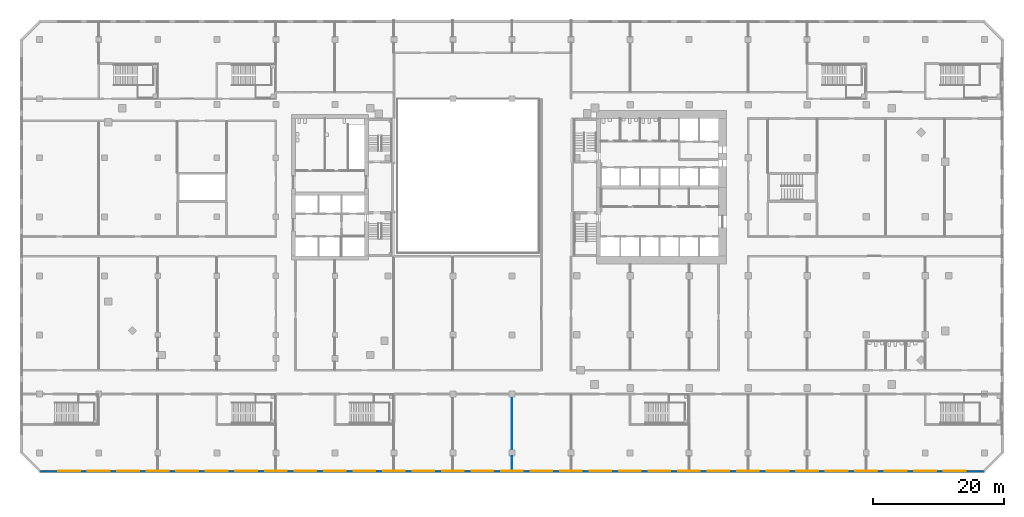
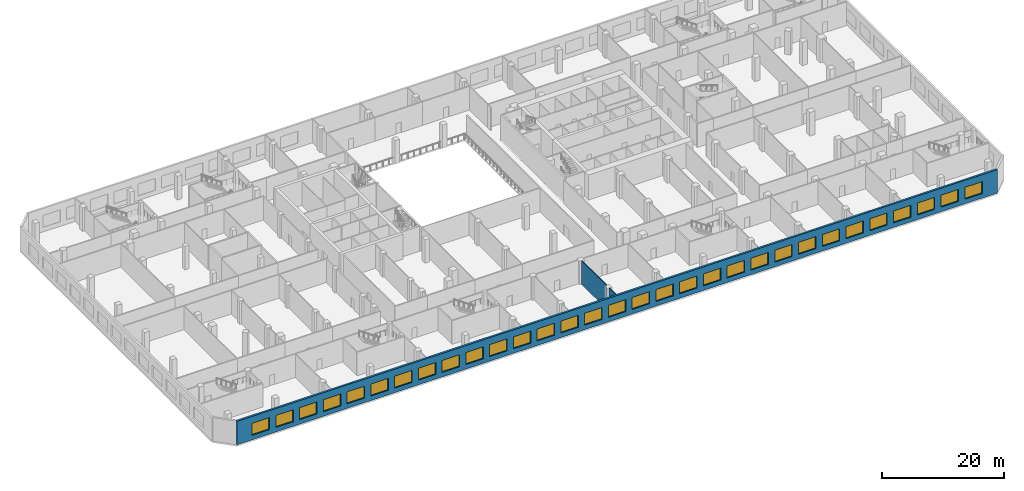
# One storey, part 8 of 21: 31 windows, 3 walls, 31 openings.
"""IFC4 building model written with IfcOpenShell, lengths in metres."""

import ifcopenshell
import ifcopenshell.guid

model = None  # the IFC model being written
_history = None  # IfcOwnerHistory: only IFC2X3 demands one
_inside = {}  # id of a spatial element -> (the spatial element, [elements in it])
_under = {}  # id of a project, library or spatial element -> (it, [spatial elements below it])
_declared = {}  # id of a project -> (the project, [libraries it declares])
_typed = {}  # id of a type object -> (the type object, [elements of that type])
_made_of = {}  # id of a material, layer set ... -> (it, [elements and type objects made of it])


def new_model(schema):
    """Start an empty IFC model of exactly this schema.

    Asked for "IFC4X3", IfcOpenShell would pick the latest addendum, in which some entities
    have other attributes; the version numbers below select the first issue.
    IFC2X3 requires an IfcOwnerHistory on every rooted entity: one is made here for all.
    """
    global model, _history
    if schema == "IFC4X3":
        model = ifcopenshell.file(schema_version=(4, 3, 0, 0))
    else:
        model = ifcopenshell.file(schema=schema)
    _inside.clear()
    _under.clear()
    _declared.clear()
    _typed.clear()
    _made_of.clear()
    _history = None
    if model.schema == "IFC2X3":
        org = make("IfcOrganization", Name="unknown")
        user = make(
            "IfcPersonAndOrganization",
            ThePerson=make("IfcPerson", FamilyName="unknown"),
            TheOrganization=org,
        )
        app = make(
            "IfcApplication",
            ApplicationDeveloper=org,
            Version="unknown",
            ApplicationFullName="unknown",
            ApplicationIdentifier="unknown",
        )
        _history = make(
            "IfcOwnerHistory",
            OwningUser=user,
            OwningApplication=app,
            ChangeAction="ADDED",
            CreationDate=0,
        )
    return model


def make(cls, **values):
    """One entity of the class cls with the attributes given. An attribute that is None is left unset."""
    return model.create_entity(
        cls, **{name: value for name, value in values.items() if value is not None}
    )


def rooted(cls, **values):
    """An entity with a GlobalId (a new one), such as an element, a storey or a relation."""
    return make(cls, GlobalId=ifcopenshell.guid.new(), OwnerHistory=_history, **values)


def si_unit(unit_type, name, prefix=None):
    """IfcSIUnit, for example si_unit("LENGTHUNIT", "METRE", prefix="MILLI")."""
    return make("IfcSIUnit", UnitType=unit_type, Prefix=prefix, Name=name)


def assignment(units):
    """IfcUnitAssignment: the units of a project."""
    return None if units is None else make("IfcUnitAssignment", Units=units)


def point(xyz):
    """IfcCartesianPoint."""
    return None if xyz is None else make("IfcCartesianPoint", Coordinates=xyz)


def direction(xyz):
    """IfcDirection."""
    return None if xyz is None else make("IfcDirection", DirectionRatios=xyz)


def frame(location, z_axis=None, x_axis=None):
    """IfcAxis2Placement3D, a coordinate frame: its origin and axes. An axis left out is left unset."""
    return make(
        "IfcAxis2Placement3D",
        Location=point(location),
        Axis=direction(z_axis),
        RefDirection=direction(x_axis),
    )


def frame_2d(location, x_axis=None):
    """IfcAxis2Placement2D, a coordinate frame in the plane: its origin and x axis."""
    return make(
        "IfcAxis2Placement2D", Location=point(location), RefDirection=direction(x_axis)
    )


def origin():
    """The frame at (0, 0, 0) with its axes left unset."""
    return frame((0.0, 0.0, 0.0))


def place(relative_to, where):
    """IfcLocalPlacement: puts the frame where relative to a parent placement (None: the world)."""
    return make(
        "IfcLocalPlacement", PlacementRelTo=relative_to, RelativePlacement=where
    )


def context(
    kind, dimensions, precision=None, world=None, true_north=None, identifier=None
):
    """IfcGeometricRepresentationContext, for example the 3D "Model" context."""
    return make(
        "IfcGeometricRepresentationContext",
        ContextIdentifier=identifier,
        ContextType=kind,
        CoordinateSpaceDimension=dimensions,
        Precision=precision,
        WorldCoordinateSystem=world,
        TrueNorth=true_north,
    )


def subcontext(parent, identifier, kind, view, scale=None):
    """IfcGeometricRepresentationSubContext, for example "Body" below "Model"."""
    return make(
        "IfcGeometricRepresentationSubContext",
        ContextIdentifier=identifier,
        ContextType=kind,
        ParentContext=parent,
        TargetScale=scale,
        TargetView=view,
    )


def project(units=None, contexts=None):
    """IfcProject with its units and contexts."""
    return rooted(
        "IfcProject",
        Name="project",
        RepresentationContexts=contexts,
        UnitsInContext=assignment(units),
    )


def spatial(cls, under=None, at=None, **own):
    """A site, building, storey or space (cls), placed at a placement, below another one or the project."""
    s = rooted(cls, ObjectPlacement=at, **own)
    if under is not None:
        _under.setdefault(under.id(), (under, []))[1].append(s)
    return s


def profile(cls, at=None, kind="AREA", **sizes):
    """A parametric profile (cls). Its sizes go by their IFC names, for example OverallWidth=200.0."""
    return make(cls, ProfileType=kind, Position=at, **sizes)


def rectangle(**sizes):
    """IfcRectangleProfileDef."""
    return profile("IfcRectangleProfileDef", **sizes)


def extrude(swept, where, along, depth):
    """IfcExtrudedAreaSolid: the profile swept, set in the frame where, extruded along a direction by depth."""
    return make(
        "IfcExtrudedAreaSolid",
        SweptArea=swept,
        Position=where,
        ExtrudedDirection=direction(along),
        Depth=depth,
    )


def shape(context_of_items, identifier, shape_type, items):
    """IfcShapeRepresentation: the items that make up one representation, for example the "Body"."""
    return make(
        "IfcShapeRepresentation",
        ContextOfItems=context_of_items,
        RepresentationIdentifier=identifier,
        RepresentationType=shape_type,
        Items=items,
    )


def material(Name=None, Category=None):
    """IfcMaterial."""
    return make("IfcMaterial", Name=Name, Category=Category)


def layer(
    of_material, thickness, ventilated=None, Name=None, Category=None, Priority=None
):
    """IfcMaterialLayer: one layer of a wall or slab, of a material (None: an air gap)."""
    return make(
        "IfcMaterialLayer",
        Material=of_material,
        LayerThickness=thickness,
        IsVentilated=ventilated,
        Name=Name,
        Category=Category,
        Priority=Priority,
    )


def layer_set(layers, Name=None):
    """IfcMaterialLayerSet."""
    return make("IfcMaterialLayerSet", MaterialLayers=layers, LayerSetName=Name)


def made_of(thing, what):
    """Note that an element or type object is made of a material, layer set ...; save() writes the relation."""
    if what is not None:
        _made_of.setdefault(what.id(), (what, []))[1].append(thing)
    return thing


def type_object(cls, material=None, **own):
    """A type object (cls), such as IfcWallType, which elements share."""
    return made_of(rooted(cls, **own), material)


def element(
    cls,
    number,
    at=None,
    inside=None,
    cuts=None,
    type_object=None,
    material=None,
    context=None,
    identifier="Body",
    shape_type=None,
    held_by="IfcProductDefinitionShape",
    body=None,
    shapes=None,
    **own,
):
    """One element of the class cls, such as IfcWall. Its Tag is "e" and its number.

    at: its placement. inside: the storey or other place that contains it. cuts: it is an
    opening in that element (IfcRelVoidsElement). A single representation is given by context,
    identifier, shape_type and body (its items); several are given by shapes. held_by: the class
    of the entity that holds the representations. save() writes the other relations.
    """
    e = rooted(cls, Tag="e%d" % number, ObjectPlacement=at, **own)
    if body is not None:
        shapes = [shape(context, identifier, shape_type, body)]
    if shapes is not None:
        e.Representation = make(held_by, Representations=shapes)
    if inside is not None:
        _inside.setdefault(inside.id(), (inside, []))[1].append(e)
    if cuts is not None:
        rooted(
            "IfcRelVoidsElement", RelatingBuildingElement=cuts, RelatedOpeningElement=e
        )
    if type_object is not None:
        _typed.setdefault(type_object.id(), (type_object, []))[1].append(e)
    return made_of(e, material)


def fill(opening, filler):
    """IfcRelFillsElement: the door or window that sits in an opening."""
    return rooted(
        "IfcRelFillsElement",
        RelatingOpeningElement=opening,
        RelatedBuildingElement=filler,
    )


def aggregate(whole, parts):
    """IfcRelAggregates: a whole, such as a stair, and the parts it consists of."""
    return rooted("IfcRelAggregates", RelatingObject=whole, RelatedObjects=parts)


def save(model, path):
    """Write the relations noted so far, then the file.

    IfcRelAggregates (storeys below a building ...), IfcRelContainedInSpatialStructure (elements
    in a storey), IfcRelDefinesByType, IfcRelAssociatesMaterial and IfcRelDeclares: one each for
    every whole, place, type object, material and project.
    """
    for whole, parts in _under.values():
        aggregate(whole, parts)
    for where, things in _inside.values():
        rooted(
            "IfcRelContainedInSpatialStructure",
            RelatedElements=things,
            RelatingStructure=where,
        )
    for kind, things in _typed.values():
        rooted("IfcRelDefinesByType", RelatedObjects=things, RelatingType=kind)
    for what, things in _made_of.values():
        rooted("IfcRelAssociatesMaterial", RelatedObjects=things, RelatingMaterial=what)
    for by, libraries in _declared.values():
        rooted("IfcRelDeclares", RelatingContext=by, RelatedDefinitions=libraries)
    model.write(path)


model = new_model("IFC4")

# Units and contexts
model_context = context("Model", 3, precision=1e-05, world=origin(), true_north=direction((0.0, 1.0)))
body_context = subcontext(model_context, "Body", "Model", "MODEL_VIEW")
ifc_project = project(units=[si_unit("LENGTHUNIT", "METRE"), si_unit("AREAUNIT", "SQUARE_METRE"), si_unit("VOLUMEUNIT", "CUBIC_METRE"), si_unit("PLANEANGLEUNIT", "RADIAN"), si_unit("MASSUNIT", "GRAM", prefix="KILO")], contexts=[model_context])

# Site, building, storey
site_placement = place(None, origin())
site = spatial("IfcSite", under=ifc_project, at=site_placement, CompositionType="ELEMENT")
building_placement = place(site_placement, origin())
building = spatial("IfcBuilding", under=site, at=building_placement, Name="Cinnabar Reach Civic Tower", CompositionType="ELEMENT")
storey_placement = place(building_placement, frame((0.0, 0.0, 16.0)))
storey = spatial("IfcBuildingStorey", under=building, at=storey_placement, Name="L03", CompositionType="ELEMENT", Elevation=16.0)

# Wall, openings, windows
ifc_material_1 = material(Name="Facing brick with insulated backing", Category="masonry")
ifc_layer_1 = layer(ifc_material_1, 0.36)
ifc_layer_set_1 = layer_set([ifc_layer_1], Name="Brick pier and spandrel wall")
wall_type_1 = type_object("IfcWallType", Name="Brick pier and spandrel wall", PredefinedType="STANDARD", material=ifc_layer_set_1)
wall_1_placement = place(storey_placement, frame((-81.0, -11.82, 0.0), z_axis=(0.0, 0.0, 1.0), x_axis=(1.0, 0.0, 0.0)))
wall_1 = element("IfcWall", 1, at=wall_1_placement, inside=storey, type_object=wall_type_1, Name="Brick facade wall", PredefinedType="STANDARD", context=body_context, shape_type="SweptSolid", body=[
    extrude(rectangle(XDim=144.0, YDim=0.36, at=frame_2d((72.0, 0.0))), origin(), (0.0, 0.0, 1.0), 4.7),
])
opening_1_placement = place(wall_1_placement, frame((2.85, 0.0, 0.9)))
opening_1 = element("IfcOpeningElement", 2, at=opening_1_placement, cuts=wall_1, Name="Opening W3013", PredefinedType="OPENING", context=body_context, shape_type="SweptSolid", body=[
    extrude(rectangle(XDim=3.3, YDim=2.4, at=frame_2d((1.65, 1.2))), frame((0.0, 0.19, 0.0), z_axis=(0.0, -1.0, 0.0), x_axis=(1.0, 0.0, 0.0)), (0.0, 0.0, 1.0), 0.38),
])
opening_2_placement = place(wall_1_placement, frame((7.35, 0.0, 0.9)))
opening_2 = element("IfcOpeningElement", 3, at=opening_2_placement, cuts=wall_1, Name="Opening W3014", PredefinedType="OPENING", context=body_context, shape_type="SweptSolid", body=[
    extrude(rectangle(XDim=3.3, YDim=2.4, at=frame_2d((1.65, 1.2))), frame((0.0, 0.19, 0.0), z_axis=(0.0, -1.0, 0.0), x_axis=(1.0, 0.0, 0.0)), (0.0, 0.0, 1.0), 0.38),
])
opening_3_placement = place(wall_1_placement, frame((11.85, 0.0, 0.9)))
opening_3 = element("IfcOpeningElement", 4, at=opening_3_placement, cuts=wall_1, Name="Opening W3015", PredefinedType="OPENING", context=body_context, shape_type="SweptSolid", body=[
    extrude(rectangle(XDim=3.3, YDim=2.4, at=frame_2d((1.65, 1.2))), frame((0.0, 0.19, 0.0), z_axis=(0.0, -1.0, 0.0), x_axis=(1.0, 0.0, 0.0)), (0.0, 0.0, 1.0), 0.38),
])
opening_4_placement = place(wall_1_placement, frame((16.35, 0.0, 0.9)))
opening_4 = element("IfcOpeningElement", 5, at=opening_4_placement, cuts=wall_1, Name="Opening W3016", PredefinedType="OPENING", context=body_context, shape_type="SweptSolid", body=[
    extrude(rectangle(XDim=3.3, YDim=2.4, at=frame_2d((1.65, 1.2))), frame((0.0, 0.19, 0.0), z_axis=(0.0, -1.0, 0.0), x_axis=(1.0, 0.0, 0.0)), (0.0, 0.0, 1.0), 0.38),
])
opening_5_placement = place(wall_1_placement, frame((20.85, 0.0, 0.9)))
opening_5 = element("IfcOpeningElement", 6, at=opening_5_placement, cuts=wall_1, Name="Opening W3017", PredefinedType="OPENING", context=body_context, shape_type="SweptSolid", body=[
    extrude(rectangle(XDim=3.3, YDim=2.4, at=frame_2d((1.65, 1.2))), frame((0.0, 0.19, 0.0), z_axis=(0.0, -1.0, 0.0), x_axis=(1.0, 0.0, 0.0)), (0.0, 0.0, 1.0), 0.38),
])
opening_6_placement = place(wall_1_placement, frame((25.35, 0.0, 0.9)))
opening_6 = element("IfcOpeningElement", 7, at=opening_6_placement, cuts=wall_1, Name="Opening W3018", PredefinedType="OPENING", context=body_context, shape_type="SweptSolid", body=[
    extrude(rectangle(XDim=3.3, YDim=2.4, at=frame_2d((1.65, 1.2))), frame((0.0, 0.19, 0.0), z_axis=(0.0, -1.0, 0.0), x_axis=(1.0, 0.0, 0.0)), (0.0, 0.0, 1.0), 0.38),
])
opening_7_placement = place(wall_1_placement, frame((29.85, 0.0, 0.9)))
opening_7 = element("IfcOpeningElement", 8, at=opening_7_placement, cuts=wall_1, Name="Opening W3019", PredefinedType="OPENING", context=body_context, shape_type="SweptSolid", body=[
    extrude(rectangle(XDim=3.3, YDim=2.4, at=frame_2d((1.65, 1.2))), frame((0.0, 0.19, 0.0), z_axis=(0.0, -1.0, 0.0), x_axis=(1.0, 0.0, 0.0)), (0.0, 0.0, 1.0), 0.38),
])
opening_8_placement = place(wall_1_placement, frame((34.35, 0.0, 0.9)))
opening_8 = element("IfcOpeningElement", 9, at=opening_8_placement, cuts=wall_1, Name="Opening W3020", PredefinedType="OPENING", context=body_context, shape_type="SweptSolid", body=[
    extrude(rectangle(XDim=3.3, YDim=2.4, at=frame_2d((1.65, 1.2))), frame((0.0, 0.19, 0.0), z_axis=(0.0, -1.0, 0.0), x_axis=(1.0, 0.0, 0.0)), (0.0, 0.0, 1.0), 0.38),
])
opening_9_placement = place(wall_1_placement, frame((38.85, 0.0, 0.9)))
opening_9 = element("IfcOpeningElement", 10, at=opening_9_placement, cuts=wall_1, Name="Opening W3021", PredefinedType="OPENING", context=body_context, shape_type="SweptSolid", body=[
    extrude(rectangle(XDim=3.3, YDim=2.4, at=frame_2d((1.65, 1.2))), frame((0.0, 0.19, 0.0), z_axis=(0.0, -1.0, 0.0), x_axis=(1.0, 0.0, 0.0)), (0.0, 0.0, 1.0), 0.38),
])
opening_10_placement = place(wall_1_placement, frame((43.35, 0.0, 0.9)))
opening_10 = element("IfcOpeningElement", 11, at=opening_10_placement, cuts=wall_1, Name="Opening W3022", PredefinedType="OPENING", context=body_context, shape_type="SweptSolid", body=[
    extrude(rectangle(XDim=3.3, YDim=2.4, at=frame_2d((1.65, 1.2))), frame((0.0, 0.19, 0.0), z_axis=(0.0, -1.0, 0.0), x_axis=(1.0, 0.0, 0.0)), (0.0, 0.0, 1.0), 0.38),
])
opening_11_placement = place(wall_1_placement, frame((47.85, 0.0, 0.9)))
opening_11 = element("IfcOpeningElement", 12, at=opening_11_placement, cuts=wall_1, Name="Opening W3023", PredefinedType="OPENING", context=body_context, shape_type="SweptSolid", body=[
    extrude(rectangle(XDim=3.3, YDim=2.4, at=frame_2d((1.65, 1.2))), frame((0.0, 0.19, 0.0), z_axis=(0.0, -1.0, 0.0), x_axis=(1.0, 0.0, 0.0)), (0.0, 0.0, 1.0), 0.38),
])
opening_12_placement = place(wall_1_placement, frame((52.35, 0.0, 0.9)))
opening_12 = element("IfcOpeningElement", 13, at=opening_12_placement, cuts=wall_1, Name="Opening W3024", PredefinedType="OPENING", context=body_context, shape_type="SweptSolid", body=[
    extrude(rectangle(XDim=3.3, YDim=2.4, at=frame_2d((1.65, 1.2))), frame((0.0, 0.19, 0.0), z_axis=(0.0, -1.0, 0.0), x_axis=(1.0, 0.0, 0.0)), (0.0, 0.0, 1.0), 0.38),
])
opening_13_placement = place(wall_1_placement, frame((56.85, 0.0, 0.9)))
opening_13 = element("IfcOpeningElement", 14, at=opening_13_placement, cuts=wall_1, Name="Opening W3025", PredefinedType="OPENING", context=body_context, shape_type="SweptSolid", body=[
    extrude(rectangle(XDim=3.3, YDim=2.4, at=frame_2d((1.65, 1.2))), frame((0.0, 0.19, 0.0), z_axis=(0.0, -1.0, 0.0), x_axis=(1.0, 0.0, 0.0)), (0.0, 0.0, 1.0), 0.38),
])
opening_14_placement = place(wall_1_placement, frame((61.35, 0.0, 0.9)))
opening_14 = element("IfcOpeningElement", 15, at=opening_14_placement, cuts=wall_1, Name="Opening W3026", PredefinedType="OPENING", context=body_context, shape_type="SweptSolid", body=[
    extrude(rectangle(XDim=3.3, YDim=2.4, at=frame_2d((1.65, 1.2))), frame((0.0, 0.19, 0.0), z_axis=(0.0, -1.0, 0.0), x_axis=(1.0, 0.0, 0.0)), (0.0, 0.0, 1.0), 0.38),
])
opening_15_placement = place(wall_1_placement, frame((65.85, 0.0, 0.9)))
opening_15 = element("IfcOpeningElement", 16, at=opening_15_placement, cuts=wall_1, Name="Opening W3027", PredefinedType="OPENING", context=body_context, shape_type="SweptSolid", body=[
    extrude(rectangle(XDim=3.3, YDim=2.4, at=frame_2d((1.65, 1.2))), frame((0.0, 0.19, 0.0), z_axis=(0.0, -1.0, 0.0), x_axis=(1.0, 0.0, 0.0)), (0.0, 0.0, 1.0), 0.38),
])
opening_16_placement = place(wall_1_placement, frame((70.35, 0.0, 0.9)))
opening_16 = element("IfcOpeningElement", 17, at=opening_16_placement, cuts=wall_1, Name="Opening W3028", PredefinedType="OPENING", context=body_context, shape_type="SweptSolid", body=[
    extrude(rectangle(XDim=3.3, YDim=2.4, at=frame_2d((1.65, 1.2))), frame((0.0, 0.19, 0.0), z_axis=(0.0, -1.0, 0.0), x_axis=(1.0, 0.0, 0.0)), (0.0, 0.0, 1.0), 0.38),
])
opening_17_placement = place(wall_1_placement, frame((74.85, 0.0, 0.9)))
opening_17 = element("IfcOpeningElement", 18, at=opening_17_placement, cuts=wall_1, Name="Opening W3029", PredefinedType="OPENING", context=body_context, shape_type="SweptSolid", body=[
    extrude(rectangle(XDim=3.3, YDim=2.4, at=frame_2d((1.65, 1.2))), frame((0.0, 0.19, 0.0), z_axis=(0.0, -1.0, 0.0), x_axis=(1.0, 0.0, 0.0)), (0.0, 0.0, 1.0), 0.38),
])
opening_18_placement = place(wall_1_placement, frame((79.35, 0.0, 0.9)))
opening_18 = element("IfcOpeningElement", 19, at=opening_18_placement, cuts=wall_1, Name="Opening W3030", PredefinedType="OPENING", context=body_context, shape_type="SweptSolid", body=[
    extrude(rectangle(XDim=3.3, YDim=2.4, at=frame_2d((1.65, 1.2))), frame((0.0, 0.19, 0.0), z_axis=(0.0, -1.0, 0.0), x_axis=(1.0, 0.0, 0.0)), (0.0, 0.0, 1.0), 0.38),
])
opening_19_placement = place(wall_1_placement, frame((83.85, 0.0, 0.9)))
opening_19 = element("IfcOpeningElement", 20, at=opening_19_placement, cuts=wall_1, Name="Opening W3031", PredefinedType="OPENING", context=body_context, shape_type="SweptSolid", body=[
    extrude(rectangle(XDim=3.3, YDim=2.4, at=frame_2d((1.65, 1.2))), frame((0.0, 0.19, 0.0), z_axis=(0.0, -1.0, 0.0), x_axis=(1.0, 0.0, 0.0)), (0.0, 0.0, 1.0), 0.38),
])
opening_20_placement = place(wall_1_placement, frame((88.35, 0.0, 0.9)))
opening_20 = element("IfcOpeningElement", 21, at=opening_20_placement, cuts=wall_1, Name="Opening W3032", PredefinedType="OPENING", context=body_context, shape_type="SweptSolid", body=[
    extrude(rectangle(XDim=3.3, YDim=2.4, at=frame_2d((1.65, 1.2))), frame((0.0, 0.19, 0.0), z_axis=(0.0, -1.0, 0.0), x_axis=(1.0, 0.0, 0.0)), (0.0, 0.0, 1.0), 0.38),
])
opening_21_placement = place(wall_1_placement, frame((92.85, 0.0, 0.9)))
opening_21 = element("IfcOpeningElement", 22, at=opening_21_placement, cuts=wall_1, Name="Opening W3033", PredefinedType="OPENING", context=body_context, shape_type="SweptSolid", body=[
    extrude(rectangle(XDim=3.3, YDim=2.4, at=frame_2d((1.65, 1.2))), frame((0.0, 0.19, 0.0), z_axis=(0.0, -1.0, 0.0), x_axis=(1.0, 0.0, 0.0)), (0.0, 0.0, 1.0), 0.38),
])
opening_22_placement = place(wall_1_placement, frame((97.35, 0.0, 0.9)))
opening_22 = element("IfcOpeningElement", 23, at=opening_22_placement, cuts=wall_1, Name="Opening W3034", PredefinedType="OPENING", context=body_context, shape_type="SweptSolid", body=[
    extrude(rectangle(XDim=3.3, YDim=2.4, at=frame_2d((1.65, 1.2))), frame((0.0, 0.19, 0.0), z_axis=(0.0, -1.0, 0.0), x_axis=(1.0, 0.0, 0.0)), (0.0, 0.0, 1.0), 0.38),
])
opening_23_placement = place(wall_1_placement, frame((101.85, 0.0, 0.9)))
opening_23 = element("IfcOpeningElement", 24, at=opening_23_placement, cuts=wall_1, Name="Opening W3035", PredefinedType="OPENING", context=body_context, shape_type="SweptSolid", body=[
    extrude(rectangle(XDim=3.3, YDim=2.4, at=frame_2d((1.65, 1.2))), frame((0.0, 0.19, 0.0), z_axis=(0.0, -1.0, 0.0), x_axis=(1.0, 0.0, 0.0)), (0.0, 0.0, 1.0), 0.38),
])
opening_24_placement = place(wall_1_placement, frame((106.35, 0.0, 0.9)))
opening_24 = element("IfcOpeningElement", 25, at=opening_24_placement, cuts=wall_1, Name="Opening W3036", PredefinedType="OPENING", context=body_context, shape_type="SweptSolid", body=[
    extrude(rectangle(XDim=3.3, YDim=2.4, at=frame_2d((1.65, 1.2))), frame((0.0, 0.19, 0.0), z_axis=(0.0, -1.0, 0.0), x_axis=(1.0, 0.0, 0.0)), (0.0, 0.0, 1.0), 0.38),
])
opening_25_placement = place(wall_1_placement, frame((110.85, 0.0, 0.9)))
opening_25 = element("IfcOpeningElement", 26, at=opening_25_placement, cuts=wall_1, Name="Opening W3037", PredefinedType="OPENING", context=body_context, shape_type="SweptSolid", body=[
    extrude(rectangle(XDim=3.3, YDim=2.4, at=frame_2d((1.65, 1.2))), frame((0.0, 0.19, 0.0), z_axis=(0.0, -1.0, 0.0), x_axis=(1.0, 0.0, 0.0)), (0.0, 0.0, 1.0), 0.38),
])
opening_26_placement = place(wall_1_placement, frame((115.35, 0.0, 0.9)))
opening_26 = element("IfcOpeningElement", 27, at=opening_26_placement, cuts=wall_1, Name="Opening W3038", PredefinedType="OPENING", context=body_context, shape_type="SweptSolid", body=[
    extrude(rectangle(XDim=3.3, YDim=2.4, at=frame_2d((1.65, 1.2))), frame((0.0, 0.19, 0.0), z_axis=(0.0, -1.0, 0.0), x_axis=(1.0, 0.0, 0.0)), (0.0, 0.0, 1.0), 0.38),
])
opening_27_placement = place(wall_1_placement, frame((119.85, 0.0, 0.9)))
opening_27 = element("IfcOpeningElement", 28, at=opening_27_placement, cuts=wall_1, Name="Opening W3039", PredefinedType="OPENING", context=body_context, shape_type="SweptSolid", body=[
    extrude(rectangle(XDim=3.3, YDim=2.4, at=frame_2d((1.65, 1.2))), frame((0.0, 0.19, 0.0), z_axis=(0.0, -1.0, 0.0), x_axis=(1.0, 0.0, 0.0)), (0.0, 0.0, 1.0), 0.38),
])
opening_28_placement = place(wall_1_placement, frame((124.35, 0.0, 0.9)))
opening_28 = element("IfcOpeningElement", 29, at=opening_28_placement, cuts=wall_1, Name="Opening W3040", PredefinedType="OPENING", context=body_context, shape_type="SweptSolid", body=[
    extrude(rectangle(XDim=3.3, YDim=2.4, at=frame_2d((1.65, 1.2))), frame((0.0, 0.19, 0.0), z_axis=(0.0, -1.0, 0.0), x_axis=(1.0, 0.0, 0.0)), (0.0, 0.0, 1.0), 0.38),
])
opening_29_placement = place(wall_1_placement, frame((128.85, 0.0, 0.9)))
opening_29 = element("IfcOpeningElement", 30, at=opening_29_placement, cuts=wall_1, Name="Opening W3041", PredefinedType="OPENING", context=body_context, shape_type="SweptSolid", body=[
    extrude(rectangle(XDim=3.3, YDim=2.4, at=frame_2d((1.65, 1.2))), frame((0.0, 0.19, 0.0), z_axis=(0.0, -1.0, 0.0), x_axis=(1.0, 0.0, 0.0)), (0.0, 0.0, 1.0), 0.38),
])
opening_30_placement = place(wall_1_placement, frame((133.35, 0.0, 0.9)))
opening_30 = element("IfcOpeningElement", 31, at=opening_30_placement, cuts=wall_1, Name="Opening W3042", PredefinedType="OPENING", context=body_context, shape_type="SweptSolid", body=[
    extrude(rectangle(XDim=3.3, YDim=2.4, at=frame_2d((1.65, 1.2))), frame((0.0, 0.19, 0.0), z_axis=(0.0, -1.0, 0.0), x_axis=(1.0, 0.0, 0.0)), (0.0, 0.0, 1.0), 0.38),
])
opening_31_placement = place(wall_1_placement, frame((137.85, 0.0, 0.9)))
opening_31 = element("IfcOpeningElement", 32, at=opening_31_placement, cuts=wall_1, Name="Opening W3043", PredefinedType="OPENING", context=body_context, shape_type="SweptSolid", body=[
    extrude(rectangle(XDim=3.3, YDim=2.4, at=frame_2d((1.65, 1.2))), frame((0.0, 0.19, 0.0), z_axis=(0.0, -1.0, 0.0), x_axis=(1.0, 0.0, 0.0)), (0.0, 0.0, 1.0), 0.38),
])
ifc_material_2 = material(Name="Clear double glazing in aluminium frame", Category="aluminium")
window_type = type_object("IfcWindowType", Name="Podium window P", PartitioningType="SINGLE_PANEL", PredefinedType="WINDOW", material=ifc_material_2)
window_1_placement = place(opening_1_placement, origin())
window_1 = element("IfcWindow", 33, at=window_1_placement, inside=storey, type_object=window_type, Name="Window south face", OverallHeight=2.4, OverallWidth=3.3, PartitioningType="SINGLE_PANEL", PredefinedType="WINDOW", context=body_context, shape_type="SweptSolid", body=[
    extrude(rectangle(XDim=3.3, YDim=2.4, at=frame_2d((1.65, 1.2))), frame((0.0, 0.13, 0.0), z_axis=(0.0, -1.0, 0.0), x_axis=(1.0, 0.0, 0.0)), (0.0, 0.0, 1.0), 0.06),
])
fill(opening_1, window_1)
window_2_placement = place(opening_2_placement, origin())
window_2 = element("IfcWindow", 34, at=window_2_placement, inside=storey, type_object=window_type, Name="Window south face", OverallHeight=2.4, OverallWidth=3.3, PartitioningType="SINGLE_PANEL", PredefinedType="WINDOW", context=body_context, shape_type="SweptSolid", body=[
    extrude(rectangle(XDim=3.3, YDim=2.4, at=frame_2d((1.65, 1.2))), frame((0.0, 0.13, 0.0), z_axis=(0.0, -1.0, 0.0), x_axis=(1.0, 0.0, 0.0)), (0.0, 0.0, 1.0), 0.06),
])
fill(opening_2, window_2)
window_3_placement = place(opening_3_placement, origin())
window_3 = element("IfcWindow", 35, at=window_3_placement, inside=storey, type_object=window_type, Name="Window south face", OverallHeight=2.4, OverallWidth=3.3, PartitioningType="SINGLE_PANEL", PredefinedType="WINDOW", context=body_context, shape_type="SweptSolid", body=[
    extrude(rectangle(XDim=3.3, YDim=2.4, at=frame_2d((1.65, 1.2))), frame((0.0, 0.13, 0.0), z_axis=(0.0, -1.0, 0.0), x_axis=(1.0, 0.0, 0.0)), (0.0, 0.0, 1.0), 0.06),
])
fill(opening_3, window_3)
window_4_placement = place(opening_4_placement, origin())
window_4 = element("IfcWindow", 36, at=window_4_placement, inside=storey, type_object=window_type, Name="Window south face", OverallHeight=2.4, OverallWidth=3.3, PartitioningType="SINGLE_PANEL", PredefinedType="WINDOW", context=body_context, shape_type="SweptSolid", body=[
    extrude(rectangle(XDim=3.3, YDim=2.4, at=frame_2d((1.65, 1.2))), frame((0.0, 0.13, 0.0), z_axis=(0.0, -1.0, 0.0), x_axis=(1.0, 0.0, 0.0)), (0.0, 0.0, 1.0), 0.06),
])
fill(opening_4, window_4)
window_5_placement = place(opening_5_placement, origin())
window_5 = element("IfcWindow", 37, at=window_5_placement, inside=storey, type_object=window_type, Name="Window south face", OverallHeight=2.4, OverallWidth=3.3, PartitioningType="SINGLE_PANEL", PredefinedType="WINDOW", context=body_context, shape_type="SweptSolid", body=[
    extrude(rectangle(XDim=3.3, YDim=2.4, at=frame_2d((1.65, 1.2))), frame((0.0, 0.13, 0.0), z_axis=(0.0, -1.0, 0.0), x_axis=(1.0, 0.0, 0.0)), (0.0, 0.0, 1.0), 0.06),
])
fill(opening_5, window_5)
window_6_placement = place(opening_6_placement, origin())
window_6 = element("IfcWindow", 38, at=window_6_placement, inside=storey, type_object=window_type, Name="Window south face", OverallHeight=2.4, OverallWidth=3.3, PartitioningType="SINGLE_PANEL", PredefinedType="WINDOW", context=body_context, shape_type="SweptSolid", body=[
    extrude(rectangle(XDim=3.3, YDim=2.4, at=frame_2d((1.65, 1.2))), frame((0.0, 0.13, 0.0), z_axis=(0.0, -1.0, 0.0), x_axis=(1.0, 0.0, 0.0)), (0.0, 0.0, 1.0), 0.06),
])
fill(opening_6, window_6)
window_7_placement = place(opening_7_placement, origin())
window_7 = element("IfcWindow", 39, at=window_7_placement, inside=storey, type_object=window_type, Name="Window south face", OverallHeight=2.4, OverallWidth=3.3, PartitioningType="SINGLE_PANEL", PredefinedType="WINDOW", context=body_context, shape_type="SweptSolid", body=[
    extrude(rectangle(XDim=3.3, YDim=2.4, at=frame_2d((1.65, 1.2))), frame((0.0, 0.13, 0.0), z_axis=(0.0, -1.0, 0.0), x_axis=(1.0, 0.0, 0.0)), (0.0, 0.0, 1.0), 0.06),
])
fill(opening_7, window_7)
window_8_placement = place(opening_8_placement, origin())
window_8 = element("IfcWindow", 40, at=window_8_placement, inside=storey, type_object=window_type, Name="Window south face", OverallHeight=2.4, OverallWidth=3.3, PartitioningType="SINGLE_PANEL", PredefinedType="WINDOW", context=body_context, shape_type="SweptSolid", body=[
    extrude(rectangle(XDim=3.3, YDim=2.4, at=frame_2d((1.65, 1.2))), frame((0.0, 0.13, 0.0), z_axis=(0.0, -1.0, 0.0), x_axis=(1.0, 0.0, 0.0)), (0.0, 0.0, 1.0), 0.06),
])
fill(opening_8, window_8)
window_9_placement = place(opening_9_placement, origin())
window_9 = element("IfcWindow", 41, at=window_9_placement, inside=storey, type_object=window_type, Name="Window south face", OverallHeight=2.4, OverallWidth=3.3, PartitioningType="SINGLE_PANEL", PredefinedType="WINDOW", context=body_context, shape_type="SweptSolid", body=[
    extrude(rectangle(XDim=3.3, YDim=2.4, at=frame_2d((1.65, 1.2))), frame((0.0, 0.13, 0.0), z_axis=(0.0, -1.0, 0.0), x_axis=(1.0, 0.0, 0.0)), (0.0, 0.0, 1.0), 0.06),
])
fill(opening_9, window_9)
window_10_placement = place(opening_10_placement, origin())
window_10 = element("IfcWindow", 42, at=window_10_placement, inside=storey, type_object=window_type, Name="Window south face", OverallHeight=2.4, OverallWidth=3.3, PartitioningType="SINGLE_PANEL", PredefinedType="WINDOW", context=body_context, shape_type="SweptSolid", body=[
    extrude(rectangle(XDim=3.3, YDim=2.4, at=frame_2d((1.65, 1.2))), frame((0.0, 0.13, 0.0), z_axis=(0.0, -1.0, 0.0), x_axis=(1.0, 0.0, 0.0)), (0.0, 0.0, 1.0), 0.06),
])
fill(opening_10, window_10)
window_11_placement = place(opening_11_placement, origin())
window_11 = element("IfcWindow", 43, at=window_11_placement, inside=storey, type_object=window_type, Name="Window south face", OverallHeight=2.4, OverallWidth=3.3, PartitioningType="SINGLE_PANEL", PredefinedType="WINDOW", context=body_context, shape_type="SweptSolid", body=[
    extrude(rectangle(XDim=3.3, YDim=2.4, at=frame_2d((1.65, 1.2))), frame((0.0, 0.13, 0.0), z_axis=(0.0, -1.0, 0.0), x_axis=(1.0, 0.0, 0.0)), (0.0, 0.0, 1.0), 0.06),
])
fill(opening_11, window_11)
window_12_placement = place(opening_12_placement, origin())
window_12 = element("IfcWindow", 44, at=window_12_placement, inside=storey, type_object=window_type, Name="Window south face", OverallHeight=2.4, OverallWidth=3.3, PartitioningType="SINGLE_PANEL", PredefinedType="WINDOW", context=body_context, shape_type="SweptSolid", body=[
    extrude(rectangle(XDim=3.3, YDim=2.4, at=frame_2d((1.65, 1.2))), frame((0.0, 0.13, 0.0), z_axis=(0.0, -1.0, 0.0), x_axis=(1.0, 0.0, 0.0)), (0.0, 0.0, 1.0), 0.06),
])
fill(opening_12, window_12)
window_13_placement = place(opening_13_placement, origin())
window_13 = element("IfcWindow", 45, at=window_13_placement, inside=storey, type_object=window_type, Name="Window south face", OverallHeight=2.4, OverallWidth=3.3, PartitioningType="SINGLE_PANEL", PredefinedType="WINDOW", context=body_context, shape_type="SweptSolid", body=[
    extrude(rectangle(XDim=3.3, YDim=2.4, at=frame_2d((1.65, 1.2))), frame((0.0, 0.13, 0.0), z_axis=(0.0, -1.0, 0.0), x_axis=(1.0, 0.0, 0.0)), (0.0, 0.0, 1.0), 0.06),
])
fill(opening_13, window_13)
window_14_placement = place(opening_14_placement, origin())
window_14 = element("IfcWindow", 46, at=window_14_placement, inside=storey, type_object=window_type, Name="Window south face", OverallHeight=2.4, OverallWidth=3.3, PartitioningType="SINGLE_PANEL", PredefinedType="WINDOW", context=body_context, shape_type="SweptSolid", body=[
    extrude(rectangle(XDim=3.3, YDim=2.4, at=frame_2d((1.65, 1.2))), frame((0.0, 0.13, 0.0), z_axis=(0.0, -1.0, 0.0), x_axis=(1.0, 0.0, 0.0)), (0.0, 0.0, 1.0), 0.06),
])
fill(opening_14, window_14)
window_15_placement = place(opening_15_placement, origin())
window_15 = element("IfcWindow", 47, at=window_15_placement, inside=storey, type_object=window_type, Name="Window south face", OverallHeight=2.4, OverallWidth=3.3, PartitioningType="SINGLE_PANEL", PredefinedType="WINDOW", context=body_context, shape_type="SweptSolid", body=[
    extrude(rectangle(XDim=3.3, YDim=2.4, at=frame_2d((1.65, 1.2))), frame((0.0, 0.13, 0.0), z_axis=(0.0, -1.0, 0.0), x_axis=(1.0, 0.0, 0.0)), (0.0, 0.0, 1.0), 0.06),
])
fill(opening_15, window_15)
window_16_placement = place(opening_16_placement, origin())
window_16 = element("IfcWindow", 48, at=window_16_placement, inside=storey, type_object=window_type, Name="Window south face", OverallHeight=2.4, OverallWidth=3.3, PartitioningType="SINGLE_PANEL", PredefinedType="WINDOW", context=body_context, shape_type="SweptSolid", body=[
    extrude(rectangle(XDim=3.3, YDim=2.4, at=frame_2d((1.65, 1.2))), frame((0.0, 0.13, 0.0), z_axis=(0.0, -1.0, 0.0), x_axis=(1.0, 0.0, 0.0)), (0.0, 0.0, 1.0), 0.06),
])
fill(opening_16, window_16)
window_17_placement = place(opening_17_placement, origin())
window_17 = element("IfcWindow", 49, at=window_17_placement, inside=storey, type_object=window_type, Name="Window south face", OverallHeight=2.4, OverallWidth=3.3, PartitioningType="SINGLE_PANEL", PredefinedType="WINDOW", context=body_context, shape_type="SweptSolid", body=[
    extrude(rectangle(XDim=3.3, YDim=2.4, at=frame_2d((1.65, 1.2))), frame((0.0, 0.13, 0.0), z_axis=(0.0, -1.0, 0.0), x_axis=(1.0, 0.0, 0.0)), (0.0, 0.0, 1.0), 0.06),
])
fill(opening_17, window_17)
window_18_placement = place(opening_18_placement, origin())
window_18 = element("IfcWindow", 50, at=window_18_placement, inside=storey, type_object=window_type, Name="Window south face", OverallHeight=2.4, OverallWidth=3.3, PartitioningType="SINGLE_PANEL", PredefinedType="WINDOW", context=body_context, shape_type="SweptSolid", body=[
    extrude(rectangle(XDim=3.3, YDim=2.4, at=frame_2d((1.65, 1.2))), frame((0.0, 0.13, 0.0), z_axis=(0.0, -1.0, 0.0), x_axis=(1.0, 0.0, 0.0)), (0.0, 0.0, 1.0), 0.06),
])
fill(opening_18, window_18)
window_19_placement = place(opening_19_placement, origin())
window_19 = element("IfcWindow", 51, at=window_19_placement, inside=storey, type_object=window_type, Name="Window south face", OverallHeight=2.4, OverallWidth=3.3, PartitioningType="SINGLE_PANEL", PredefinedType="WINDOW", context=body_context, shape_type="SweptSolid", body=[
    extrude(rectangle(XDim=3.3, YDim=2.4, at=frame_2d((1.65, 1.2))), frame((0.0, 0.13, 0.0), z_axis=(0.0, -1.0, 0.0), x_axis=(1.0, 0.0, 0.0)), (0.0, 0.0, 1.0), 0.06),
])
fill(opening_19, window_19)
window_20_placement = place(opening_20_placement, origin())
window_20 = element("IfcWindow", 52, at=window_20_placement, inside=storey, type_object=window_type, Name="Window south face", OverallHeight=2.4, OverallWidth=3.3, PartitioningType="SINGLE_PANEL", PredefinedType="WINDOW", context=body_context, shape_type="SweptSolid", body=[
    extrude(rectangle(XDim=3.3, YDim=2.4, at=frame_2d((1.65, 1.2))), frame((0.0, 0.13, 0.0), z_axis=(0.0, -1.0, 0.0), x_axis=(1.0, 0.0, 0.0)), (0.0, 0.0, 1.0), 0.06),
])
fill(opening_20, window_20)
window_21_placement = place(opening_21_placement, origin())
window_21 = element("IfcWindow", 53, at=window_21_placement, inside=storey, type_object=window_type, Name="Window south face", OverallHeight=2.4, OverallWidth=3.3, PartitioningType="SINGLE_PANEL", PredefinedType="WINDOW", context=body_context, shape_type="SweptSolid", body=[
    extrude(rectangle(XDim=3.3, YDim=2.4, at=frame_2d((1.65, 1.2))), frame((0.0, 0.13, 0.0), z_axis=(0.0, -1.0, 0.0), x_axis=(1.0, 0.0, 0.0)), (0.0, 0.0, 1.0), 0.06),
])
fill(opening_21, window_21)
window_22_placement = place(opening_22_placement, origin())
window_22 = element("IfcWindow", 54, at=window_22_placement, inside=storey, type_object=window_type, Name="Window south face", OverallHeight=2.4, OverallWidth=3.3, PartitioningType="SINGLE_PANEL", PredefinedType="WINDOW", context=body_context, shape_type="SweptSolid", body=[
    extrude(rectangle(XDim=3.3, YDim=2.4, at=frame_2d((1.65, 1.2))), frame((0.0, 0.13, 0.0), z_axis=(0.0, -1.0, 0.0), x_axis=(1.0, 0.0, 0.0)), (0.0, 0.0, 1.0), 0.06),
])
fill(opening_22, window_22)
window_23_placement = place(opening_23_placement, origin())
window_23 = element("IfcWindow", 55, at=window_23_placement, inside=storey, type_object=window_type, Name="Window south face", OverallHeight=2.4, OverallWidth=3.3, PartitioningType="SINGLE_PANEL", PredefinedType="WINDOW", context=body_context, shape_type="SweptSolid", body=[
    extrude(rectangle(XDim=3.3, YDim=2.4, at=frame_2d((1.65, 1.2))), frame((0.0, 0.13, 0.0), z_axis=(0.0, -1.0, 0.0), x_axis=(1.0, 0.0, 0.0)), (0.0, 0.0, 1.0), 0.06),
])
fill(opening_23, window_23)
window_24_placement = place(opening_24_placement, origin())
window_24 = element("IfcWindow", 56, at=window_24_placement, inside=storey, type_object=window_type, Name="Window south face", OverallHeight=2.4, OverallWidth=3.3, PartitioningType="SINGLE_PANEL", PredefinedType="WINDOW", context=body_context, shape_type="SweptSolid", body=[
    extrude(rectangle(XDim=3.3, YDim=2.4, at=frame_2d((1.65, 1.2))), frame((0.0, 0.13, 0.0), z_axis=(0.0, -1.0, 0.0), x_axis=(1.0, 0.0, 0.0)), (0.0, 0.0, 1.0), 0.06),
])
fill(opening_24, window_24)
window_25_placement = place(opening_25_placement, origin())
window_25 = element("IfcWindow", 57, at=window_25_placement, inside=storey, type_object=window_type, Name="Window south face", OverallHeight=2.4, OverallWidth=3.3, PartitioningType="SINGLE_PANEL", PredefinedType="WINDOW", context=body_context, shape_type="SweptSolid", body=[
    extrude(rectangle(XDim=3.3, YDim=2.4, at=frame_2d((1.65, 1.2))), frame((0.0, 0.13, 0.0), z_axis=(0.0, -1.0, 0.0), x_axis=(1.0, 0.0, 0.0)), (0.0, 0.0, 1.0), 0.06),
])
fill(opening_25, window_25)
window_26_placement = place(opening_26_placement, origin())
window_26 = element("IfcWindow", 58, at=window_26_placement, inside=storey, type_object=window_type, Name="Window south face", OverallHeight=2.4, OverallWidth=3.3, PartitioningType="SINGLE_PANEL", PredefinedType="WINDOW", context=body_context, shape_type="SweptSolid", body=[
    extrude(rectangle(XDim=3.3, YDim=2.4, at=frame_2d((1.65, 1.2))), frame((0.0, 0.13, 0.0), z_axis=(0.0, -1.0, 0.0), x_axis=(1.0, 0.0, 0.0)), (0.0, 0.0, 1.0), 0.06),
])
fill(opening_26, window_26)
window_27_placement = place(opening_27_placement, origin())
window_27 = element("IfcWindow", 59, at=window_27_placement, inside=storey, type_object=window_type, Name="Window south face", OverallHeight=2.4, OverallWidth=3.3, PartitioningType="SINGLE_PANEL", PredefinedType="WINDOW", context=body_context, shape_type="SweptSolid", body=[
    extrude(rectangle(XDim=3.3, YDim=2.4, at=frame_2d((1.65, 1.2))), frame((0.0, 0.13, 0.0), z_axis=(0.0, -1.0, 0.0), x_axis=(1.0, 0.0, 0.0)), (0.0, 0.0, 1.0), 0.06),
])
fill(opening_27, window_27)
window_28_placement = place(opening_28_placement, origin())
window_28 = element("IfcWindow", 60, at=window_28_placement, inside=storey, type_object=window_type, Name="Window south face", OverallHeight=2.4, OverallWidth=3.3, PartitioningType="SINGLE_PANEL", PredefinedType="WINDOW", context=body_context, shape_type="SweptSolid", body=[
    extrude(rectangle(XDim=3.3, YDim=2.4, at=frame_2d((1.65, 1.2))), frame((0.0, 0.13, 0.0), z_axis=(0.0, -1.0, 0.0), x_axis=(1.0, 0.0, 0.0)), (0.0, 0.0, 1.0), 0.06),
])
fill(opening_28, window_28)
window_29_placement = place(opening_29_placement, origin())
window_29 = element("IfcWindow", 61, at=window_29_placement, inside=storey, type_object=window_type, Name="Window south face", OverallHeight=2.4, OverallWidth=3.3, PartitioningType="SINGLE_PANEL", PredefinedType="WINDOW", context=body_context, shape_type="SweptSolid", body=[
    extrude(rectangle(XDim=3.3, YDim=2.4, at=frame_2d((1.65, 1.2))), frame((0.0, 0.13, 0.0), z_axis=(0.0, -1.0, 0.0), x_axis=(1.0, 0.0, 0.0)), (0.0, 0.0, 1.0), 0.06),
])
fill(opening_29, window_29)
window_30_placement = place(opening_30_placement, origin())
window_30 = element("IfcWindow", 62, at=window_30_placement, inside=storey, type_object=window_type, Name="Window south face", OverallHeight=2.4, OverallWidth=3.3, PartitioningType="SINGLE_PANEL", PredefinedType="WINDOW", context=body_context, shape_type="SweptSolid", body=[
    extrude(rectangle(XDim=3.3, YDim=2.4, at=frame_2d((1.65, 1.2))), frame((0.0, 0.13, 0.0), z_axis=(0.0, -1.0, 0.0), x_axis=(1.0, 0.0, 0.0)), (0.0, 0.0, 1.0), 0.06),
])
fill(opening_30, window_30)
window_31_placement = place(opening_31_placement, origin())
window_31 = element("IfcWindow", 63, at=window_31_placement, inside=storey, type_object=window_type, Name="Window south face", OverallHeight=2.4, OverallWidth=3.3, PartitioningType="SINGLE_PANEL", PredefinedType="WINDOW", context=body_context, shape_type="SweptSolid", body=[
    extrude(rectangle(XDim=3.3, YDim=2.4, at=frame_2d((1.65, 1.2))), frame((0.0, 0.13, 0.0), z_axis=(0.0, -1.0, 0.0), x_axis=(1.0, 0.0, 0.0)), (0.0, 0.0, 1.0), 0.06),
])
fill(opening_31, window_31)

# Walls
ifc_material_3 = material(Name="Gypsum board on steel studs", Category="steel")
ifc_layer_2 = layer(ifc_material_3, 0.15)
ifc_layer_set_2 = layer_set([ifc_layer_2], Name="Podium partition wall 150 EI 90")
wall_type_2 = type_object("IfcWallType", Name="Podium partition wall 150 EI 90", PredefinedType="PARTITIONING", material=ifc_layer_set_2)
wall_2_placement = place(storey_placement, frame((-9.0, -11.6, 0.0), z_axis=(0.0, 0.0, 1.0), x_axis=(0.0, 1.0, 0.0)))
element("IfcWall", 64, at=wall_2_placement, inside=storey, type_object=wall_type_2, Name="Wall L03 152", PredefinedType="PARTITIONING", context=body_context, shape_type="SweptSolid", body=[
    extrude(rectangle(XDim=2.13, YDim=0.15, at=frame_2d((1.065, 0.0))), origin(), (0.0, 0.0, 1.0), 4.7),
])
wall_3_placement = place(storey_placement, frame((-9.0, -8.53, 0.0), z_axis=(0.0, 0.0, 1.0), x_axis=(0.0, 1.0, 0.0)))
element("IfcWall", 65, at=wall_3_placement, inside=storey, type_object=wall_type_2, Name="Wall L03 153", PredefinedType="PARTITIONING", context=body_context, shape_type="SweptSolid", body=[
    extrude(rectangle(XDim=8.06, YDim=0.15, at=frame_2d((4.03, 0.0))), origin(), (0.0, 0.0, 1.0), 4.7),
])

save(model, "model.ifc")
